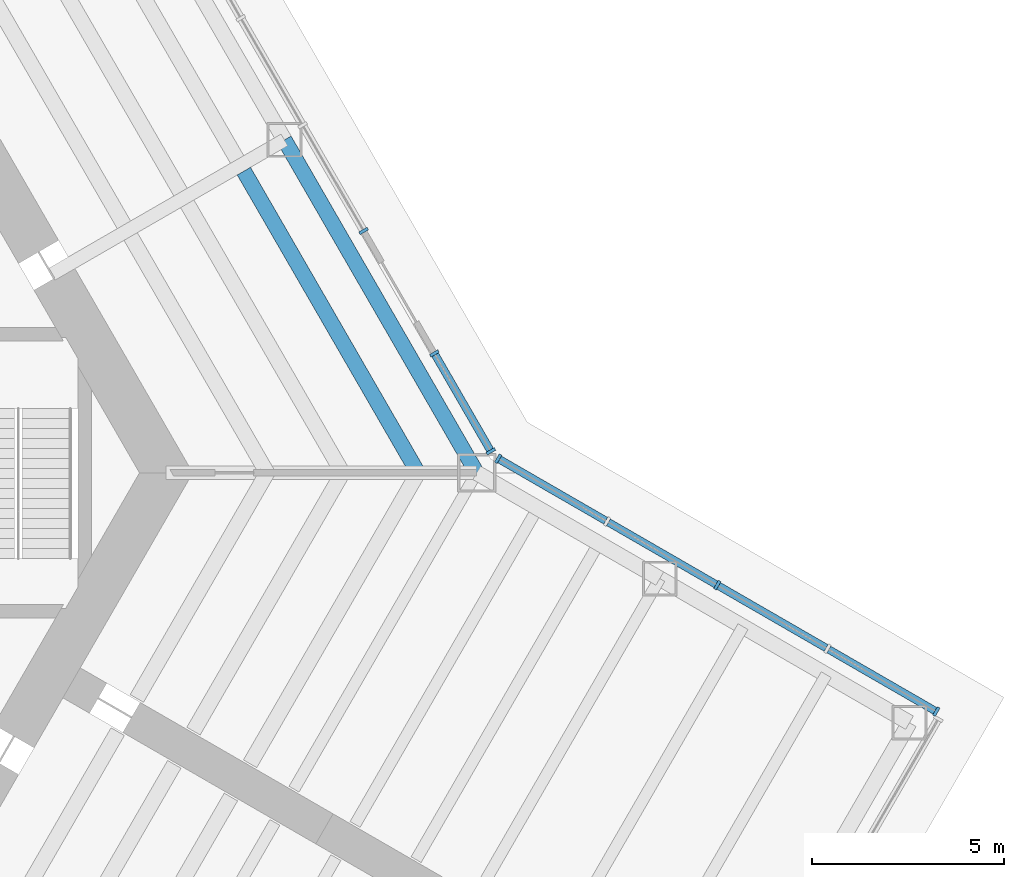
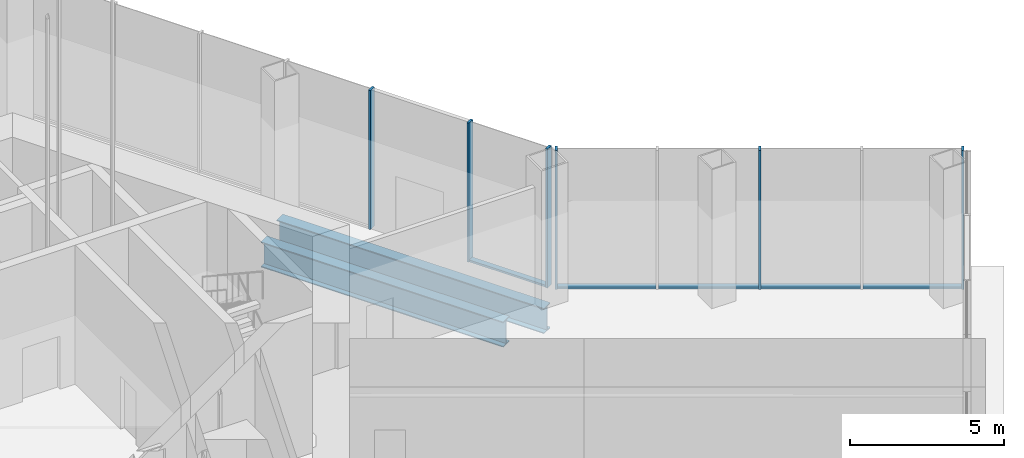
# One storey, part 5 of 18: 11 members, 2 beams, 3 elements without a shape of their own.
"""IFC4 building model written with IfcOpenShell, lengths in metres."""

from ifc_helpers import new_model, si_unit, direction, frame, origin, origin_2d, place, context, subcontext, project, spatial, rectangle, i_section, extrude, material, material_profile, profile_set, type_object, element, aggregate, save


model = new_model("IFC4")

# Units and contexts
model_context = context("Model", 3, precision=1e-05, world=origin(), true_north=direction((0.0, 1.0)))
body_context = subcontext(model_context, "Body", "Model", "MODEL_VIEW")
ifc_project = project(units=[si_unit("LENGTHUNIT", "METRE"), si_unit("AREAUNIT", "SQUARE_METRE"), si_unit("VOLUMEUNIT", "CUBIC_METRE"), si_unit("PLANEANGLEUNIT", "RADIAN"), si_unit("MASSUNIT", "GRAM", prefix="KILO")], contexts=[model_context])

# Site, building, storey
site_placement = place(None, origin())
site = spatial("IfcSite", under=ifc_project, at=site_placement, CompositionType="ELEMENT")
building_placement = place(site_placement, origin())
building = spatial("IfcBuilding", under=site, at=building_placement, Name="Kasaneha Research Tower", CompositionType="ELEMENT")
storey_placement = place(building_placement, origin())
storey = spatial("IfcBuildingStorey", under=building, at=storey_placement, Name="L01", CompositionType="ELEMENT", Elevation=0.0)

# Beam
ifc_material_1 = material(Name="Steel SN490B", Category="steel")
ifc_material_profile_1 = material_profile(ifc_material_1, i_section(OverallWidth=0.39990234375, OverallDepth=1.0, WebThickness=0.01904296875, FlangeThickness=0.035888671875, at=origin_2d()), Name="BH-1000x400x19x36")
ifc_profile_set_1 = profile_set([ifc_material_profile_1], Name="Steel SN490B")
beam_type_1 = type_object("IfcBeamType", Name="B1-0 secondary beam BH-1000x400x19x36", PredefinedType="JOIST", material=ifc_profile_set_1)
beam_1_placement = place(storey_placement, frame((18.47509765625, 0.0, -0.800048828125), z_axis=(-0.499998401736, 0.866026326541, 0.0), x_axis=(-0.866026326541, -0.499998401736, 0.0)))
element("IfcBeam", 1, at=beam_1_placement, inside=storey, type_object=beam_type_1, Name="Secondary beam RS030L3 L01", PredefinedType="JOIST", context=body_context, shape_type="SweptSolid", body=[
    extrude(i_section(OverallWidth=0.39990234375, OverallDepth=1.0, WebThickness=0.01904296875, FlangeThickness=0.035888671875, at=origin_2d()), origin(), (0.0, 0.0, 1.0), 9.0625),
])

# Curtain wall, members
ifc_material_2 = material(Name="Glass and aluminium", Category="aluminium")
curtain_wall_type = type_object("IfcCurtainWallType", Name="Entrance hall curtain wall", PredefinedType="USERDEFINED", material=ifc_material_2)
curtain_wall_1_placement = place(storey_placement, origin())
curtain_wall_1 = element("IfcCurtainWall", 2, at=curtain_wall_1_placement, inside=storey, type_object=curtain_wall_type, Name="CW-H L01 run 06a", ObjectType="UNITISED CURTAIN WALL", PredefinedType="USERDEFINED")
ifc_material_3 = material(Name="Aluminium 6063-T6", Category="aluminium")
ifc_material_profile_2 = material_profile(ifc_material_3, rectangle(XDim=0.080078125, YDim=0.25, at=origin_2d()), Name="CW-H mullion 80x250")
ifc_profile_set_2 = profile_set([ifc_material_profile_2], Name="Aluminium 6063-T6")
member_type_1 = type_object("IfcMemberType", Name="CW-H mullion", PredefinedType="MULLION", material=ifc_profile_set_2)
member_1_placement = place(storey_placement, frame((31.956787109375, -6.21044921875, 0.0), z_axis=(0.0, 0.0, 1.0), x_axis=(-0.866025411464, 0.499999986699, 0.0)))
member_1 = element("IfcMember", 3, at=member_1_placement, type_object=member_type_1, Name="CW-H mullion 1", PredefinedType="MULLION", context=body_context, shape_type="SweptSolid", body=[
    extrude(rectangle(XDim=0.080078125, YDim=0.25, at=origin_2d()), origin(), (0.0, 0.0, 1.0), 5.5),
])
member_2_placement = place(storey_placement, frame((26.258544921875, -2.920654296875, 0.0), z_axis=(0.0, 0.0, 1.0), x_axis=(-0.866025411464, 0.499999986699, 0.0)))
member_2 = element("IfcMember", 4, at=member_2_placement, type_object=member_type_1, Name="CW-H mullion 3", PredefinedType="MULLION", context=body_context, shape_type="SweptSolid", body=[
    extrude(rectangle(XDim=0.080078125, YDim=0.25, at=origin_2d()), origin(), (0.0, 0.0, 1.0), 5.5),
])
member_3_placement = place(storey_placement, frame((20.560546875, 0.369140625, 0.0), z_axis=(0.0, 0.0, 1.0), x_axis=(-0.866025411464, 0.499999986699, 0.0)))
member_3 = element("IfcMember", 5, at=member_3_placement, type_object=member_type_1, Name="CW-H mullion 5", PredefinedType="MULLION", context=body_context, shape_type="SweptSolid", body=[
    extrude(rectangle(XDim=0.080078125, YDim=0.25, at=origin_2d()), origin(), (0.0, 0.0, 1.0), 5.5),
])

curtain_wall_2_placement = place(storey_placement, origin())
curtain_wall_2 = element("IfcCurtainWall", 6, at=curtain_wall_2_placement, inside=storey, type_object=curtain_wall_type, Name="CW-H L01 run 07a", ObjectType="UNITISED CURTAIN WALL", PredefinedType="USERDEFINED")
member_4_placement = place(storey_placement, frame((20.369140625, 0.560546875, 0.0), z_axis=(0.0, 0.0, 1.0), x_axis=(-0.49999996188, 0.866025425793, 0.0)))
member_4 = element("IfcMember", 7, at=member_4_placement, type_object=member_type_1, Name="CW-H mullion 1", PredefinedType="MULLION", context=body_context, shape_type="SweptSolid", body=[
    extrude(rectangle(XDim=0.080078125, YDim=0.25, at=origin_2d()), origin(), (0.0, 0.0, 1.0), 5.5),
])
member_5_placement = place(storey_placement, frame((18.8994140625, 3.106201171875, 0.0), z_axis=(0.0, 0.0, 1.0), x_axis=(-0.49999996188, 0.866025425793, 0.0)))
member_5 = element("IfcMember", 8, at=member_5_placement, type_object=member_type_1, Name="CW-H mullion 2", PredefinedType="MULLION", context=body_context, shape_type="SweptSolid", body=[
    extrude(rectangle(XDim=0.080078125, YDim=0.25, at=origin_2d()), origin(), (0.0, 0.0, 1.0), 5.5),
])

# Curtain wall, member
curtain_wall_3_placement = place(storey_placement, origin())
curtain_wall_3 = element("IfcCurtainWall", 9, at=curtain_wall_3_placement, inside=storey, type_object=curtain_wall_type, Name="CW-H L01 run 07c", ObjectType="UNITISED CURTAIN WALL", PredefinedType="USERDEFINED")
member_6_placement = place(storey_placement, frame((17.059326171875, 6.293212890625, 0.0), z_axis=(0.0, 0.0, 1.0), x_axis=(-0.49999996188, 0.866025425793, 0.0)))
member_6 = element("IfcMember", 10, at=member_6_placement, type_object=member_type_1, Name="CW-H mullion 1", PredefinedType="MULLION", context=body_context, shape_type="SweptSolid", body=[
    extrude(rectangle(XDim=0.080078125, YDim=0.25, at=origin_2d()), origin(), (0.0, 0.0, 1.0), 5.5),
])
aggregate(curtain_wall_3, [member_6])

# Member
ifc_material_4 = material(Name="Aluminium 6063-T6", Category="aluminium")
ifc_material_profile_3 = material_profile(ifc_material_4, rectangle(XDim=0.199951171875, YDim=0.080078125, at=origin_2d()), Name="CW-H transom 200x80")
ifc_profile_set_3 = profile_set([ifc_material_profile_3], Name="Aluminium 6063-T6")
member_type_2 = type_object("IfcMemberType", Name="CW-H transom", PredefinedType="USERDEFINED", material=ifc_profile_set_3)
member_7_placement = place(storey_placement, frame((31.922119140625, -6.1904296875, 0.0400390625), z_axis=(-0.866016067539, 0.500016170502, 0.0), x_axis=(-0.500016170502, -0.866016067539, 0.0)))
member_7 = element("IfcMember", 11, at=member_7_placement, type_object=member_type_2, Name="CW-H transom 1", ObjectType="TRANSOM", PredefinedType="USERDEFINED", context=body_context, shape_type="SweptSolid", body=[
    extrude(rectangle(XDim=0.199951171875, YDim=0.080078125, at=origin_2d()), origin(), (0.0, 0.0, 1.0), 3.18994140625),
])

member_8_placement = place(storey_placement, frame((29.09033203125, -4.555419921875, 0.0400390625), z_axis=(-0.866048381815, 0.499960198771, 0.0), x_axis=(-0.499960198771, -0.866048381815, 0.0)))
member_8 = element("IfcMember", 12, at=member_8_placement, type_object=member_type_2, Name="CW-H transom 2", ObjectType="TRANSOM", PredefinedType="USERDEFINED", context=body_context, shape_type="SweptSolid", body=[
    extrude(rectangle(XDim=0.199951171875, YDim=0.080078125, at=origin_2d()), origin(), (0.0, 0.0, 1.0), 3.229736328125),
])

member_9_placement = place(storey_placement, frame((26.223876953125, -2.900634765625, 0.0400390625), z_axis=(-0.866015650984, 0.500016891966, 0.0), x_axis=(-0.500016891966, -0.866015650984, 0.0)))
member_9 = element("IfcMember", 13, at=member_9_placement, type_object=member_type_2, Name="CW-H transom 3", ObjectType="TRANSOM", PredefinedType="USERDEFINED", context=body_context, shape_type="SweptSolid", body=[
    extrude(rectangle(XDim=0.199951171875, YDim=0.080078125, at=origin_2d()), origin(), (0.0, 0.0, 1.0), 3.22998046875),
])

member_10_placement = place(storey_placement, frame((23.357666015625, -1.24560546875, 0.0400390625), z_axis=(-0.866049209109, 0.499958765701, 0.0), x_axis=(-0.499958765701, -0.866049209109, 0.0)))
member_10 = element("IfcMember", 14, at=member_10_placement, type_object=member_type_2, Name="CW-H transom 4", ObjectType="TRANSOM", PredefinedType="USERDEFINED", context=body_context, shape_type="SweptSolid", body=[
    extrude(rectangle(XDim=0.199951171875, YDim=0.080078125, at=origin_2d()), origin(), (0.0, 0.0, 1.0), 3.189697265625),
])

aggregate(curtain_wall_1, [member_1, member_2, member_3, member_7, member_8, member_9, member_10])

member_11_placement = place(storey_placement, frame((20.34912109375, 0.59521484375, 0.0400390625), z_axis=(-0.49999591573, 0.866027761826, 0.0), x_axis=(-0.866027761826, -0.49999591573, 0.0)))
member_11 = element("IfcMember", 15, at=member_11_placement, type_object=member_type_2, Name="CW-H transom 1", ObjectType="TRANSOM", PredefinedType="USERDEFINED", context=body_context, shape_type="SweptSolid", body=[
    extrude(rectangle(XDim=0.199951171875, YDim=0.080078125, at=origin_2d()), origin(), (0.0, 0.0, 1.0), 2.859375),
])

aggregate(curtain_wall_2, [member_4, member_5, member_11])

# Beam
ifc_material_5 = material(Name="Steel SN490B", Category="steel")
ifc_material_profile_4 = material_profile(ifc_material_5, i_section(OverallWidth=0.39990234375, OverallDepth=1.0, WebThickness=0.01904296875, FlangeThickness=0.035888671875, at=origin_2d()), Name="BH-1000x400x19x36")
ifc_profile_set_4 = profile_set([ifc_material_profile_4], Name="Steel SN490B")
beam_type_2 = type_object("IfcBeamType", Name="SB1-0 spandrel beam BH-1000x400x19x36", PredefinedType="SPANDREL", material=ifc_profile_set_4)
beam_2_placement = place(storey_placement, frame((20.0, 0.0, -0.800048828125), z_axis=(-0.500004234368, 0.866022959057, 0.0), x_axis=(-0.866022959057, -0.500004234368, 0.0)))
element("IfcBeam", 16, at=beam_2_placement, inside=storey, type_object=beam_type_2, Name="Spandrel beam SR030L L01", PredefinedType="SPANDREL", context=body_context, shape_type="SweptSolid", body=[
    extrude(i_section(OverallWidth=0.39990234375, OverallDepth=1.0, WebThickness=0.01904296875, FlangeThickness=0.035888671875, at=origin_2d()), origin(), (0.0, 0.0, 1.0), 10.0),
])

save(model, "model.ifc")
